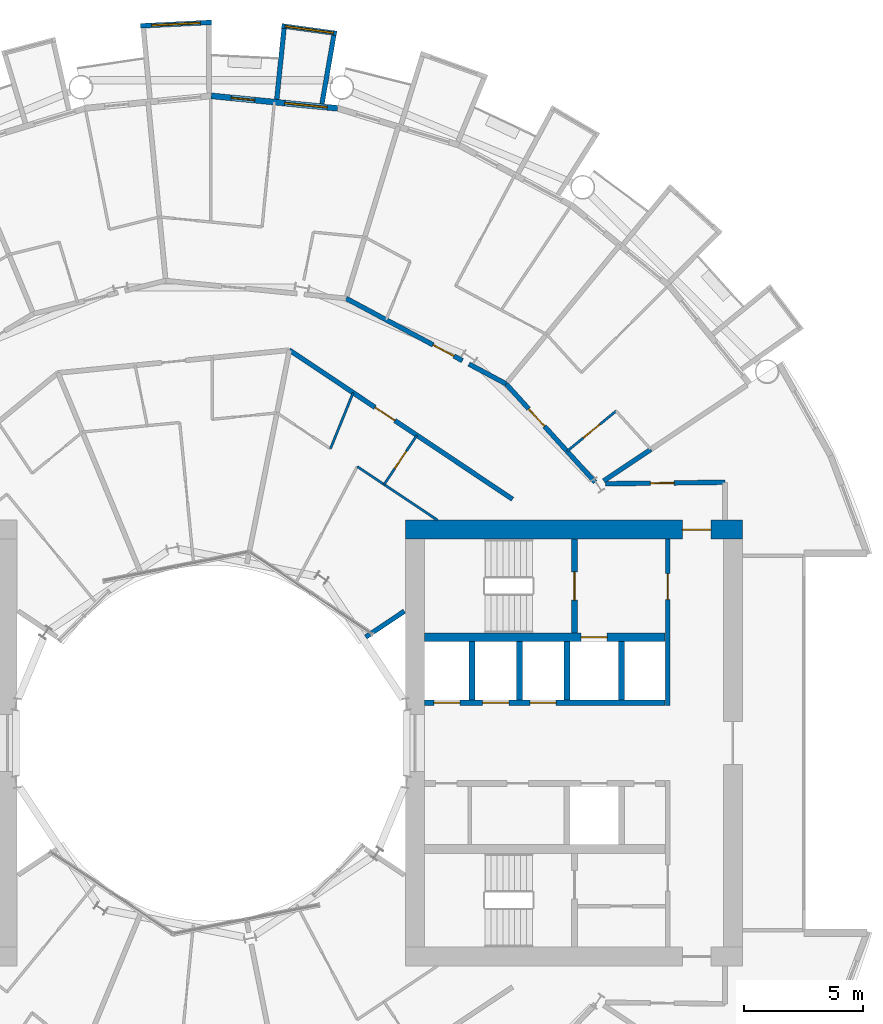
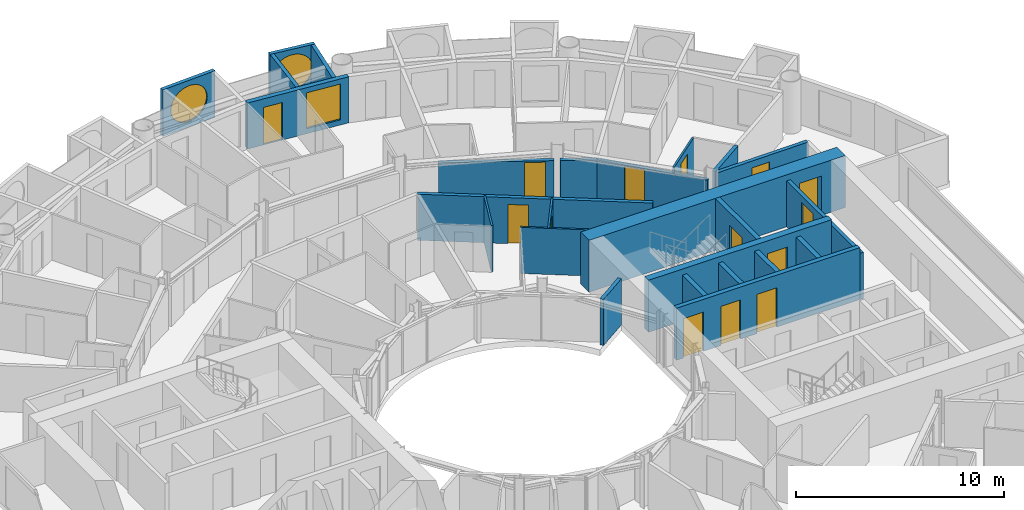
# One storey, part 21 of 26: 25 walls, 14 doors, 3 windows, 17 openings.
"""IFC4 building model written with IfcOpenShell, lengths in metres."""

import ifcopenshell
import ifcopenshell.guid

model = None  # the IFC model being written
_history = None  # IfcOwnerHistory: only IFC2X3 demands one
_inside = {}  # id of a spatial element -> (the spatial element, [elements in it])
_under = {}  # id of a project, library or spatial element -> (it, [spatial elements below it])
_declared = {}  # id of a project -> (the project, [libraries it declares])
_typed = {}  # id of a type object -> (the type object, [elements of that type])
_made_of = {}  # id of a material, layer set ... -> (it, [elements and type objects made of it])


def new_model(schema):
    """Start an empty IFC model of exactly this schema.

    Asked for "IFC4X3", IfcOpenShell would pick the latest addendum, in which some entities
    have other attributes; the version numbers below select the first issue.
    IFC2X3 requires an IfcOwnerHistory on every rooted entity: one is made here for all.
    """
    global model, _history
    if schema == "IFC4X3":
        model = ifcopenshell.file(schema_version=(4, 3, 0, 0))
    else:
        model = ifcopenshell.file(schema=schema)
    _inside.clear()
    _under.clear()
    _declared.clear()
    _typed.clear()
    _made_of.clear()
    _history = None
    if model.schema == "IFC2X3":
        org = make("IfcOrganization", Name="unknown")
        user = make(
            "IfcPersonAndOrganization",
            ThePerson=make("IfcPerson", FamilyName="unknown"),
            TheOrganization=org,
        )
        app = make(
            "IfcApplication",
            ApplicationDeveloper=org,
            Version="unknown",
            ApplicationFullName="unknown",
            ApplicationIdentifier="unknown",
        )
        _history = make(
            "IfcOwnerHistory",
            OwningUser=user,
            OwningApplication=app,
            ChangeAction="ADDED",
            CreationDate=0,
        )
    return model


def make(cls, **values):
    """One entity of the class cls with the attributes given. An attribute that is None is left unset."""
    return model.create_entity(
        cls, **{name: value for name, value in values.items() if value is not None}
    )


def rooted(cls, **values):
    """An entity with a GlobalId (a new one), such as an element, a storey or a relation."""
    return make(cls, GlobalId=ifcopenshell.guid.new(), OwnerHistory=_history, **values)


def si_unit(unit_type, name, prefix=None):
    """IfcSIUnit, for example si_unit("LENGTHUNIT", "METRE", prefix="MILLI")."""
    return make("IfcSIUnit", UnitType=unit_type, Prefix=prefix, Name=name)


def assignment(units):
    """IfcUnitAssignment: the units of a project."""
    return None if units is None else make("IfcUnitAssignment", Units=units)


def point(xyz):
    """IfcCartesianPoint."""
    return None if xyz is None else make("IfcCartesianPoint", Coordinates=xyz)


def direction(xyz):
    """IfcDirection."""
    return None if xyz is None else make("IfcDirection", DirectionRatios=xyz)


def frame(location, z_axis=None, x_axis=None):
    """IfcAxis2Placement3D, a coordinate frame: its origin and axes. An axis left out is left unset."""
    return make(
        "IfcAxis2Placement3D",
        Location=point(location),
        Axis=direction(z_axis),
        RefDirection=direction(x_axis),
    )


def frame_2d(location, x_axis=None):
    """IfcAxis2Placement2D, a coordinate frame in the plane: its origin and x axis."""
    return make(
        "IfcAxis2Placement2D", Location=point(location), RefDirection=direction(x_axis)
    )


def origin():
    """The frame at (0, 0, 0) with its axes left unset."""
    return frame((0.0, 0.0, 0.0))


def place(relative_to, where):
    """IfcLocalPlacement: puts the frame where relative to a parent placement (None: the world)."""
    return make(
        "IfcLocalPlacement", PlacementRelTo=relative_to, RelativePlacement=where
    )


def context(
    kind, dimensions, precision=None, world=None, true_north=None, identifier=None
):
    """IfcGeometricRepresentationContext, for example the 3D "Model" context."""
    return make(
        "IfcGeometricRepresentationContext",
        ContextIdentifier=identifier,
        ContextType=kind,
        CoordinateSpaceDimension=dimensions,
        Precision=precision,
        WorldCoordinateSystem=world,
        TrueNorth=true_north,
    )


def subcontext(parent, identifier, kind, view, scale=None):
    """IfcGeometricRepresentationSubContext, for example "Body" below "Model"."""
    return make(
        "IfcGeometricRepresentationSubContext",
        ContextIdentifier=identifier,
        ContextType=kind,
        ParentContext=parent,
        TargetScale=scale,
        TargetView=view,
    )


def project(units=None, contexts=None):
    """IfcProject with its units and contexts."""
    return rooted(
        "IfcProject",
        Name="project",
        RepresentationContexts=contexts,
        UnitsInContext=assignment(units),
    )


def spatial(cls, under=None, at=None, **own):
    """A site, building, storey or space (cls), placed at a placement, below another one or the project."""
    s = rooted(cls, ObjectPlacement=at, **own)
    if under is not None:
        _under.setdefault(under.id(), (under, []))[1].append(s)
    return s


def profile(cls, at=None, kind="AREA", **sizes):
    """A parametric profile (cls). Its sizes go by their IFC names, for example OverallWidth=200.0."""
    return make(cls, ProfileType=kind, Position=at, **sizes)


def rectangle(**sizes):
    """IfcRectangleProfileDef."""
    return profile("IfcRectangleProfileDef", **sizes)


def circle(**sizes):
    """IfcCircleProfileDef."""
    return profile("IfcCircleProfileDef", **sizes)


def extrude(swept, where, along, depth):
    """IfcExtrudedAreaSolid: the profile swept, set in the frame where, extruded along a direction by depth."""
    return make(
        "IfcExtrudedAreaSolid",
        SweptArea=swept,
        Position=where,
        ExtrudedDirection=direction(along),
        Depth=depth,
    )


def shape(context_of_items, identifier, shape_type, items):
    """IfcShapeRepresentation: the items that make up one representation, for example the "Body"."""
    return make(
        "IfcShapeRepresentation",
        ContextOfItems=context_of_items,
        RepresentationIdentifier=identifier,
        RepresentationType=shape_type,
        Items=items,
    )


def material(Name=None, Category=None):
    """IfcMaterial."""
    return make("IfcMaterial", Name=Name, Category=Category)


def layer(
    of_material, thickness, ventilated=None, Name=None, Category=None, Priority=None
):
    """IfcMaterialLayer: one layer of a wall or slab, of a material (None: an air gap)."""
    return make(
        "IfcMaterialLayer",
        Material=of_material,
        LayerThickness=thickness,
        IsVentilated=ventilated,
        Name=Name,
        Category=Category,
        Priority=Priority,
    )


def layer_set(layers, Name=None):
    """IfcMaterialLayerSet."""
    return make("IfcMaterialLayerSet", MaterialLayers=layers, LayerSetName=Name)


def made_of(thing, what):
    """Note that an element or type object is made of a material, layer set ...; save() writes the relation."""
    if what is not None:
        _made_of.setdefault(what.id(), (what, []))[1].append(thing)
    return thing


def type_object(cls, material=None, **own):
    """A type object (cls), such as IfcWallType, which elements share."""
    return made_of(rooted(cls, **own), material)


def element(
    cls,
    number,
    at=None,
    inside=None,
    cuts=None,
    type_object=None,
    material=None,
    context=None,
    identifier="Body",
    shape_type=None,
    held_by="IfcProductDefinitionShape",
    body=None,
    shapes=None,
    **own,
):
    """One element of the class cls, such as IfcWall. Its Tag is "e" and its number.

    at: its placement. inside: the storey or other place that contains it. cuts: it is an
    opening in that element (IfcRelVoidsElement). A single representation is given by context,
    identifier, shape_type and body (its items); several are given by shapes. held_by: the class
    of the entity that holds the representations. save() writes the other relations.
    """
    e = rooted(cls, Tag="e%d" % number, ObjectPlacement=at, **own)
    if body is not None:
        shapes = [shape(context, identifier, shape_type, body)]
    if shapes is not None:
        e.Representation = make(held_by, Representations=shapes)
    if inside is not None:
        _inside.setdefault(inside.id(), (inside, []))[1].append(e)
    if cuts is not None:
        rooted(
            "IfcRelVoidsElement", RelatingBuildingElement=cuts, RelatedOpeningElement=e
        )
    if type_object is not None:
        _typed.setdefault(type_object.id(), (type_object, []))[1].append(e)
    return made_of(e, material)


def fill(opening, filler):
    """IfcRelFillsElement: the door or window that sits in an opening."""
    return rooted(
        "IfcRelFillsElement",
        RelatingOpeningElement=opening,
        RelatedBuildingElement=filler,
    )


def aggregate(whole, parts):
    """IfcRelAggregates: a whole, such as a stair, and the parts it consists of."""
    return rooted("IfcRelAggregates", RelatingObject=whole, RelatedObjects=parts)


def save(model, path):
    """Write the relations noted so far, then the file.

    IfcRelAggregates (storeys below a building ...), IfcRelContainedInSpatialStructure (elements
    in a storey), IfcRelDefinesByType, IfcRelAssociatesMaterial and IfcRelDeclares: one each for
    every whole, place, type object, material and project.
    """
    for whole, parts in _under.values():
        aggregate(whole, parts)
    for where, things in _inside.values():
        rooted(
            "IfcRelContainedInSpatialStructure",
            RelatedElements=things,
            RelatingStructure=where,
        )
    for kind, things in _typed.values():
        rooted("IfcRelDefinesByType", RelatedObjects=things, RelatingType=kind)
    for what, things in _made_of.values():
        rooted("IfcRelAssociatesMaterial", RelatedObjects=things, RelatingMaterial=what)
    for by, libraries in _declared.values():
        rooted("IfcRelDeclares", RelatingContext=by, RelatedDefinitions=libraries)
    model.write(path)


model = new_model("IFC4")

# Units and contexts
model_context = context("Model", 3, precision=1e-05, world=origin(), true_north=direction((0.0, 1.0)))
body_context = subcontext(model_context, "Body", "Model", "MODEL_VIEW")
ifc_project = project(units=[si_unit("LENGTHUNIT", "METRE"), si_unit("AREAUNIT", "SQUARE_METRE"), si_unit("VOLUMEUNIT", "CUBIC_METRE"), si_unit("PLANEANGLEUNIT", "RADIAN"), si_unit("MASSUNIT", "GRAM", prefix="KILO")], contexts=[model_context])

# Site, building, storey
site_placement = place(None, origin())
site = spatial("IfcSite", under=ifc_project, at=site_placement, CompositionType="ELEMENT")
building_placement = place(site_placement, origin())
building = spatial("IfcBuilding", under=site, at=building_placement, Name="Maasbend Ring Residences", CompositionType="ELEMENT")
storey_placement = place(building_placement, frame((0.0, 0.0, 25.85009765625)))
storey = spatial("IfcBuildingStorey", under=building, at=storey_placement, Name="L06", CompositionType="ELEMENT", Elevation=25.85009765625)

# Wall, openings, doors
ifc_material_1 = material(Name="Concrete C70/85", Category="concrete")
ifc_layer_1 = layer(ifc_material_1, 0.25)
ifc_layer_set_1 = layer_set([ifc_layer_1], Name="Concrete C70/85")
wall_type_1 = type_object("IfcWallType", Name="CORE WALL 250 C70/85", PredefinedType="SHEAR", material=ifc_layer_set_1)
wall_1_placement = place(storey_placement, frame((9.0, 1.699951171875, 0.0), z_axis=(0.0, 0.0, 1.0), x_axis=(1.0, 0.0, 0.0)))
wall_1 = element("IfcWall", 1, at=wall_1_placement, inside=storey, type_object=wall_type_1, Name="L06 core E wall SPN", PredefinedType="SHEAR", context=body_context, shape_type="SweptSolid", body=[
    extrude(rectangle(XDim=10.14990234375, YDim=0.25, at=frame_2d((5.074951171875, 0.0))), origin(), (0.0, 0.0, 1.0), 3.0498046875),
])
opening_1_placement = place(wall_1_placement, frame((0.387451171875, 0.0, 0.0)))
opening_1 = element("IfcOpeningElement", 2, at=opening_1_placement, cuts=wall_1, Name="Opening LD-E0601", PredefinedType="OPENING", context=body_context, shape_type="SweptSolid", body=[
    extrude(rectangle(XDim=1.10009765625, YDim=2.300048828125, at=frame_2d((0.550048828125, 1.14990234375))), frame((0.0, 0.135009765625, 0.0), z_axis=(0.0, -1.0, 0.0), x_axis=(1.0, 0.0, 0.0)), (0.0, 0.0, 1.0), 0.27001953125),
])
opening_2_placement = place(wall_1_placement, frame((2.449951171875, 0.0, 0.0)))
opening_2 = element("IfcOpeningElement", 3, at=opening_2_placement, cuts=wall_1, Name="Opening LD-E0602", PredefinedType="OPENING", context=body_context, shape_type="SweptSolid", body=[
    extrude(rectangle(XDim=1.10009765625, YDim=2.300048828125, at=frame_2d((0.550048828125, 1.14990234375))), frame((0.0, 0.135009765625, 0.0), z_axis=(0.0, -1.0, 0.0), x_axis=(1.0, 0.0, 0.0)), (0.0, 0.0, 1.0), 0.27001953125),
])
opening_3_placement = place(wall_1_placement, frame((4.449951171875, 0.0, 0.0)))
opening_3 = element("IfcOpeningElement", 4, at=opening_3_placement, cuts=wall_1, Name="Opening LD-E0603", PredefinedType="OPENING", context=body_context, shape_type="SweptSolid", body=[
    extrude(rectangle(XDim=1.10009765625, YDim=2.300048828125, at=frame_2d((0.550048828125, 1.14990234375))), frame((0.0, 0.135009765625, 0.0), z_axis=(0.0, -1.0, 0.0), x_axis=(1.0, 0.0, 0.0)), (0.0, 0.0, 1.0), 0.27001953125),
])
ifc_material_2 = material(Name="Stainless steel 316", Category="steel")
door_type_1 = type_object("IfcDoorType", Name="LANDING DOOR 1100 X 2300 FD60", OperationType="DOUBLE_DOOR_SLIDING", PredefinedType="DOOR", material=ifc_material_2)
door_1_placement = place(opening_1_placement, origin())
door_1 = element("IfcDoor", 5, at=door_1_placement, inside=storey, type_object=door_type_1, Name="Landing door LR-E1 L06", OperationType="DOUBLE_DOOR_SLIDING", OverallHeight=2.300048828125, OverallWidth=1.10009765625, PredefinedType="DOOR", context=body_context, shape_type="SweptSolid", body=[
    extrude(rectangle(XDim=1.10009765625, YDim=2.300048828125, at=frame_2d((0.550048828125, 1.14990234375))), frame((0.0, 0.02490234375, 0.0), z_axis=(0.0, -1.0, 0.0), x_axis=(1.0, 0.0, 0.0)), (0.0, 0.0, 1.0), 0.050048828125),
])
fill(opening_1, door_1)
door_2_placement = place(opening_2_placement, origin())
door_2 = element("IfcDoor", 6, at=door_2_placement, inside=storey, type_object=door_type_1, Name="Landing door LR-E2 L06", OperationType="DOUBLE_DOOR_SLIDING", OverallHeight=2.300048828125, OverallWidth=1.10009765625, PredefinedType="DOOR", context=body_context, shape_type="SweptSolid", body=[
    extrude(rectangle(XDim=1.10009765625, YDim=2.300048828125, at=frame_2d((0.550048828125, 1.14990234375))), frame((0.0, 0.02490234375, 0.0), z_axis=(0.0, -1.0, 0.0), x_axis=(1.0, 0.0, 0.0)), (0.0, 0.0, 1.0), 0.050048828125),
])
fill(opening_2, door_2)
door_3_placement = place(opening_3_placement, origin())
door_3 = element("IfcDoor", 7, at=door_3_placement, inside=storey, type_object=door_type_1, Name="Landing door LR-E3 L06", OperationType="DOUBLE_DOOR_SLIDING", OverallHeight=2.300048828125, OverallWidth=1.10009765625, PredefinedType="DOOR", context=body_context, shape_type="SweptSolid", body=[
    extrude(rectangle(XDim=1.10009765625, YDim=2.300048828125, at=frame_2d((0.550048828125, 1.14990234375))), frame((0.0, 0.02490234375, 0.0), z_axis=(0.0, -1.0, 0.0), x_axis=(1.0, 0.0, 0.0)), (0.0, 0.0, 1.0), 0.050048828125),
])
fill(opening_3, door_3)

# Wall, opening, door
wall_2_placement = place(storey_placement, frame((15.324951171875, 4.64990234375, 0.0), z_axis=(0.0, 0.0, 1.0), x_axis=(0.0, 1.0, 0.0)))
wall_2 = element("IfcWall", 8, at=wall_2_placement, inside=storey, type_object=wall_type_1, Name="L06 core E wall STEN", PredefinedType="SHEAR", context=body_context, shape_type="SweptSolid", body=[
    extrude(rectangle(XDim=3.9501953125, YDim=0.25, at=frame_2d((1.97509765625, 0.0))), origin(), (0.0, 0.0, 1.0), 3.0498046875),
])
opening_4_placement = place(wall_2_placement, frame((1.375, 0.0, 0.0)))
opening_4 = element("IfcOpeningElement", 9, at=opening_4_placement, cuts=wall_2, Name="Opening D-E0610", PredefinedType="OPENING", context=body_context, shape_type="SweptSolid", body=[
    extrude(rectangle(XDim=1.199951171875, YDim=2.300048828125, at=frame_2d((0.60009765625, 1.14990234375))), frame((0.0, 0.135009765625, 0.0), z_axis=(0.0, -1.0, 0.0), x_axis=(1.0, 0.0, 0.0)), (0.0, 0.0, 1.0), 0.27001953125),
])
ifc_material_3 = material(Name="Steel, powder coated", Category="steel")
door_type_2 = type_object("IfcDoorType", Name="STAIR DOOR 1200 X 2300 FD60", OperationType="NOTDEFINED", PredefinedType="DOOR", material=ifc_material_3)
door_4_placement = place(opening_4_placement, origin())
door_4 = element("IfcDoor", 10, at=door_4_placement, inside=storey, type_object=door_type_2, Name="Stair door ST-E L06", OperationType="SINGLE_SWING_LEFT", OverallHeight=2.300048828125, OverallWidth=1.199951171875, PredefinedType="DOOR", context=body_context, shape_type="SweptSolid", body=[
    extrude(rectangle(XDim=1.199951171875, YDim=2.300048828125, at=frame_2d((0.60009765625, 1.14990234375))), frame((0.0, 0.02490234375, 0.0), z_axis=(0.0, -1.0, 0.0), x_axis=(1.0, 0.0, 0.0)), (0.0, 0.0, 1.0), 0.050048828125),
])
fill(opening_4, door_4)

ifc_material_4 = material(Name="Concrete C70/85", Category="concrete")
ifc_layer_2 = layer(ifc_material_4, 0.375)
ifc_layer_set_2 = layer_set([ifc_layer_2], Name="Concrete C70/85")
wall_type_2 = type_object("IfcWallType", Name="CORE WALL 375 C70/85", PredefinedType="SHEAR", material=ifc_layer_set_2)
wall_3_placement = place(storey_placement, frame((9.0, 4.46240234375, 0.0), z_axis=(0.0, 0.0, 1.0), x_axis=(1.0, 0.0, 0.0)))
wall_3 = element("IfcWall", 11, at=wall_3_placement, inside=storey, type_object=wall_type_2, Name="L06 core E wall BN", PredefinedType="SHEAR", context=body_context, shape_type="SweptSolid", body=[
    extrude(rectangle(XDim=10.14990234375, YDim=0.375, at=frame_2d((5.074951171875, 0.0))), origin(), (0.0, 0.0, 1.0), 3.0498046875),
])
opening_5_placement = place(wall_3_placement, frame((6.60009765625, 0.0, 0.0)))
opening_5 = element("IfcOpeningElement", 12, at=opening_5_placement, cuts=wall_3, Name="Opening LD-E0604", PredefinedType="OPENING", context=body_context, shape_type="SweptSolid", body=[
    extrude(rectangle(XDim=1.10009765625, YDim=2.300048828125, at=frame_2d((0.550048828125, 1.14990234375))), frame((0.0, 0.197509765625, 0.0), z_axis=(0.0, -1.0, 0.0), x_axis=(1.0, 0.0, 0.0)), (0.0, 0.0, 1.0), 0.39501953125),
])
door_5_placement = place(opening_5_placement, origin())
door_5 = element("IfcDoor", 13, at=door_5_placement, inside=storey, type_object=door_type_1, Name="Landing door FF-E L06", OperationType="DOUBLE_DOOR_SLIDING", OverallHeight=2.300048828125, OverallWidth=1.10009765625, PredefinedType="DOOR", context=body_context, shape_type="SweptSolid", body=[
    extrude(rectangle(XDim=1.10009765625, YDim=2.300048828125, at=frame_2d((0.550048828125, 1.14990234375))), frame((0.0, 0.02490234375, 0.0), z_axis=(0.0, -1.0, 0.0), x_axis=(1.0, 0.0, 0.0)), (0.0, 0.0, 1.0), 0.050048828125),
])
fill(opening_5, door_5)

ifc_material_5 = material(Name="Concrete C70/85", Category="concrete")
ifc_layer_3 = layer(ifc_material_5, 0.800048828125)
ifc_layer_set_3 = layer_set([ifc_layer_3], Name="Concrete C70/85")
wall_type_3 = type_object("IfcWallType", Name="CORE WALL 800 C70/85", PredefinedType="SHEAR", material=ifc_layer_set_3)
wall_4_placement = place(storey_placement, frame((22.39990234375, 9.0, 0.0), z_axis=(0.0, 0.0, 1.0), x_axis=(-1.0, 0.0, 0.0)))
wall_4 = element("IfcWall", 14, at=wall_4_placement, inside=storey, type_object=wall_type_3, Name="L06 core E wall PN", PredefinedType="SHEAR", context=body_context, shape_type="SweptSolid", body=[
    extrude(rectangle(XDim=14.199951171875, YDim=0.800048828125, at=frame_2d((7.10009765625, 0.0))), origin(), (0.0, 0.0, 1.0), 3.0498046875),
])
opening_6_placement = place(wall_4_placement, frame((1.324951171875, 0.0, 0.0)))
opening_6 = element("IfcOpeningElement", 15, at=opening_6_placement, cuts=wall_4, Name="Opening D-E0614", PredefinedType="OPENING", context=body_context, shape_type="SweptSolid", body=[
    extrude(rectangle(XDim=1.199951171875, YDim=2.300048828125, at=frame_2d((0.60009765625, 1.14990234375))), frame((0.0, 0.41015625, 0.0), z_axis=(0.0, -1.0, 0.0), x_axis=(1.0, 0.0, 0.0)), (0.0, 0.0, 1.0), 0.820068359375),
])
ifc_material_6 = material(Name="Steel, powder coated", Category="steel")
door_type_3 = type_object("IfcDoorType", Name="CORRIDOR DOOR 1200 X 2300 FD30S", OperationType="NOTDEFINED", PredefinedType="DOOR", material=ifc_material_6)
door_6_placement = place(opening_6_placement, origin())
door_6 = element("IfcDoor", 16, at=door_6_placement, inside=storey, type_object=door_type_3, Name="Corridor door L06", OperationType="SINGLE_SWING_RIGHT", OverallHeight=2.300048828125, OverallWidth=1.199951171875, PredefinedType="DOOR", context=body_context, shape_type="SweptSolid", body=[
    extrude(rectangle(XDim=1.199951171875, YDim=2.300048828125, at=frame_2d((0.60009765625, 1.14990234375))), frame((0.0, 0.02490234375, 0.0), z_axis=(0.0, -1.0, 0.0), x_axis=(1.0, 0.0, 0.0)), (0.0, 0.0, 1.0), 0.050048828125),
])
fill(opening_6, door_6)

ifc_material_7 = material(Name="Concrete C30/37", Category="concrete")
ifc_layer_4 = layer(ifc_material_7, 0.199951171875)
ifc_layer_set_4 = layer_set([ifc_layer_4], Name="Concrete C30/37")
wall_type_4 = type_object("IfcWallType", Name="CORRIDOR WALL 200 CONCRETE", PredefinedType="PARTITIONING", material=ifc_layer_set_4)
wall_5_placement = place(storey_placement, frame((16.636962890625, 10.93798828125, 0.0), z_axis=(0.0, 0.0, 1.0), x_axis=(0.99992425795, 0.012307654658, 0.0)))
wall_5 = element("IfcWall", 17, at=wall_5_placement, inside=storey, type_object=wall_type_4, Name="U-L06-w099", PredefinedType="PARTITIONING", context=body_context, shape_type="SweptSolid", body=[
    extrude(rectangle(XDim=5.03857421875, YDim=0.199951171875, at=frame_2d((2.519287109375, 0.0))), origin(), (0.0, 0.0, 1.0), 2.699951171875),
])
opening_7_placement = place(wall_5_placement, frame((1.884033203125, 0.0, 0.0)))
opening_7 = element("IfcOpeningElement", 18, at=opening_7_placement, cuts=wall_5, Name="Opening D-0668", PredefinedType="OPENING", context=body_context, shape_type="SweptSolid", body=[
    extrude(rectangle(XDim=1.0, YDim=2.300048828125, at=frame_2d((0.5, 1.14990234375))), frame((0.0, 0.10986328125, 0.0), z_axis=(0.0, -1.0, 0.0), x_axis=(1.0, 0.0, 0.0)), (0.0, 0.0, 1.0), 0.219970703125),
])
ifc_material_8 = material(Name="Timber, painted", Category="wood")
door_type_4 = type_object("IfcDoorType", Name="ROOM DOOR 1000 X 2300", OperationType="NOTDEFINED", PredefinedType="DOOR", material=ifc_material_8)
door_7_placement = place(opening_7_placement, origin())
door_7 = element("IfcDoor", 19, at=door_7_placement, inside=storey, type_object=door_type_4, Name="D-0668", OperationType="SINGLE_SWING_LEFT", OverallHeight=2.300048828125, OverallWidth=1.0, PredefinedType="DOOR", context=body_context, shape_type="SweptSolid", body=[
    extrude(rectangle(XDim=1.0, YDim=2.300048828125, at=frame_2d((0.5, 1.14990234375))), frame((0.0, 0.02490234375, 0.0), z_axis=(0.0, -1.0, 0.0), x_axis=(1.0, 0.0, 0.0)), (0.0, 0.0, 1.0), 0.050048828125),
])
fill(opening_7, door_7)

wall_6_placement = place(storey_placement, frame((3.299072265625, 16.573974609375, 0.0), z_axis=(0.0, 0.0, 1.0), x_axis=(0.831482209042, -0.555551380205, 0.0)))
wall_6 = element("IfcWall", 20, at=wall_6_placement, inside=storey, type_object=wall_type_4, Name="U-L06-w106", PredefinedType="PARTITIONING", context=body_context, shape_type="SweptSolid", body=[
    extrude(rectangle(XDim=11.314697265625, YDim=0.199951171875, at=frame_2d((5.6572265625, 0.0))), origin(), (0.0, 0.0, 1.0), 2.699951171875),
])
opening_8_placement = place(wall_6_placement, frame((4.345947265625, 0.0, 0.0)))
opening_8 = element("IfcOpeningElement", 21, at=opening_8_placement, cuts=wall_6, Name="Opening D-0621", PredefinedType="OPENING", context=body_context, shape_type="SweptSolid", body=[
    extrude(rectangle(XDim=1.0, YDim=2.300048828125, at=frame_2d((0.5, 1.14990234375))), frame((0.0, 0.10986328125, 0.0), z_axis=(0.0, -1.0, 0.0), x_axis=(1.0, 0.0, 0.0)), (0.0, 0.0, 1.0), 0.219970703125),
])
ifc_material_9 = material(Name="Timber, fire-rated, painted", Category="wood")
door_type_5 = type_object("IfcDoorType", Name="FLAT ENTRANCE DOOR 1000 X 2300 FIRE-RATED", OperationType="NOTDEFINED", PredefinedType="DOOR", material=ifc_material_9)
door_8_placement = place(opening_8_placement, origin())
door_8 = element("IfcDoor", 22, at=door_8_placement, inside=storey, type_object=door_type_5, Name="D-0621", OperationType="SINGLE_SWING_LEFT", OverallHeight=2.300048828125, OverallWidth=1.0, PredefinedType="DOOR", context=body_context, shape_type="SweptSolid", body=[
    extrude(rectangle(XDim=1.0, YDim=2.300048828125, at=frame_2d((0.5, 1.14990234375))), frame((0.0, 0.02490234375, 0.0), z_axis=(0.0, -1.0, 0.0), x_axis=(1.0, 0.0, 0.0)), (0.0, 0.0, 1.0), 0.050048828125),
])
fill(opening_8, door_8)

wall_7_placement = place(storey_placement, frame((5.68994140625, 18.756103515625, 0.0), z_axis=(0.0, 0.0, 1.0), x_axis=(0.881866548297, -0.471499089072, 0.0)))
wall_7 = element("IfcWall", 23, at=wall_7_placement, inside=storey, type_object=wall_type_4, Name="U-L06-w111", PredefinedType="PARTITIONING", context=body_context, shape_type="SweptSolid", body=[
    extrude(rectangle(XDim=5.563232421875, YDim=0.199951171875, at=frame_2d((2.78173828125, 0.0))), origin(), (0.0, 0.0, 1.0), 2.3798828125),
])
opening_9_placement = place(wall_7_placement, frame((4.160888671875, 0.0, 0.0)))
opening_9 = element("IfcOpeningElement", 24, at=opening_9_placement, cuts=wall_7, Name="Opening D-0604", PredefinedType="OPENING", context=body_context, shape_type="SweptSolid", body=[
    extrude(rectangle(XDim=1.0, YDim=2.300048828125, at=frame_2d((0.5, 1.14990234375))), frame((0.0, 0.10986328125, 0.0), z_axis=(0.0, -1.0, 0.0), x_axis=(1.0, 0.0, 0.0)), (0.0, 0.0, 1.0), 0.219970703125),
])
door_9_placement = place(opening_9_placement, origin())
door_9 = element("IfcDoor", 25, at=door_9_placement, inside=storey, type_object=door_type_5, Name="D-0604", OperationType="SINGLE_SWING_RIGHT", OverallHeight=2.300048828125, OverallWidth=1.0, PredefinedType="DOOR", context=body_context, shape_type="SweptSolid", body=[
    extrude(rectangle(XDim=1.0, YDim=2.300048828125, at=frame_2d((0.5, 1.14990234375))), frame((0.0, 0.02490234375, 0.0), z_axis=(0.0, -1.0, 0.0), x_axis=(1.0, 0.0, 0.0)), (0.0, 0.0, 1.0), 0.050048828125),
])
fill(opening_9, door_9)

# Wall
wall_8_placement = place(storey_placement, frame((10.866943359375, 15.989013671875, 0.0), z_axis=(0.0, 0.0, 1.0), x_axis=(0.88180855718, -0.471607536501, 0.0)))
element("IfcWall", 26, at=wall_8_placement, inside=storey, type_object=wall_type_4, Name="U-L06-w112", PredefinedType="PARTITIONING", context=body_context, shape_type="SweptSolid", body=[
    extrude(rectangle(XDim=1.777099609375, YDim=0.199951171875, at=frame_2d((0.888671875, 0.0))), origin(), (0.0, 0.0, 1.0), 2.3798828125),
])

# Wall, opening, door
wall_9_placement = place(storey_placement, frame((12.43408203125, 15.15087890625, 0.0), z_axis=(0.0, 0.0, 1.0), x_axis=(0.671514934772, -0.740991020444, 0.0)))
wall_9 = element("IfcWall", 27, at=wall_9_placement, inside=storey, type_object=wall_type_4, Name="U-L06-w118", PredefinedType="PARTITIONING", context=body_context, shape_type="SweptSolid", body=[
    extrude(rectangle(XDim=5.597900390625, YDim=0.199951171875, at=frame_2d((2.798828125, 0.0))), origin(), (0.0, 0.0, 1.0), 2.3798828125),
])
opening_10_placement = place(wall_9_placement, frame((1.4169921875, 0.0, 0.0)))
opening_10 = element("IfcOpeningElement", 28, at=opening_10_placement, cuts=wall_9, Name="Opening D-0601", PredefinedType="OPENING", context=body_context, shape_type="SweptSolid", body=[
    extrude(rectangle(XDim=1.0, YDim=2.300048828125, at=frame_2d((0.5, 1.14990234375))), frame((0.0, 0.10986328125, 0.0), z_axis=(0.0, -1.0, 0.0), x_axis=(1.0, 0.0, 0.0)), (0.0, 0.0, 1.0), 0.219970703125),
])
door_10_placement = place(opening_10_placement, origin())
door_10 = element("IfcDoor", 29, at=door_10_placement, inside=storey, type_object=door_type_5, Name="D-0601", OperationType="SINGLE_SWING_LEFT", OverallHeight=2.300048828125, OverallWidth=1.0, PredefinedType="DOOR", context=body_context, shape_type="SweptSolid", body=[
    extrude(rectangle(XDim=1.0, YDim=2.300048828125, at=frame_2d((0.5, 1.14990234375))), frame((0.0, 0.02490234375, 0.0), z_axis=(0.0, -1.0, 0.0), x_axis=(1.0, 0.0, 0.0)), (0.0, 0.0, 1.0), 0.050048828125),
])
fill(opening_10, door_10)

# Wall, opening, window
ifc_material_10 = material(Name="Pale anodised aluminium panel", Category="aluminium")
ifc_layer_5 = layer(ifc_material_10, 0.199951171875)
ifc_layer_set_5 = layer_set([ifc_layer_5], Name="EW-BOX")
wall_type_5 = type_object("IfcWallType", Name="EW-BOX", PredefinedType="SOLIDWALL", material=ifc_layer_set_5)
wall_10_placement = place(storey_placement, frame((5.2900390625, 29.93603515625, -0.030029296875), z_axis=(0.0, 0.0, 1.0), x_axis=(-0.990696111261, 0.136092671119, 0.0)))
wall_10 = element("IfcWall", 30, at=wall_10_placement, inside=storey, type_object=wall_type_5, Name="Box front N09", PredefinedType="SOLIDWALL", context=body_context, shape_type="SweptSolid", body=[
    extrude(rectangle(XDim=2.335693359375, YDim=0.199951171875, at=frame_2d((1.16796875, 0.0))), origin(), (0.0, 0.0, 1.0), 2.72998046875),
])
opening_11_placement = place(wall_10_placement, frame((0.128173828125, 0.0, 0.330078125)))
opening_11 = element("IfcOpeningElement", 31, at=opening_11_placement, cuts=wall_10, Name="Opening W-RD", PredefinedType="OPENING", context=body_context, shape_type="SweptSolid", body=[
    extrude(circle(Radius=1.0400390625, at=frame_2d((1.0400390625, 1.0400390625))), frame((0.0, 0.10986328125, 0.0), z_axis=(0.0, -1.0, 0.0), x_axis=(1.0, 0.0, 0.0)), (0.0, 0.0, 1.0), 0.219970703125),
])
ifc_material_11 = material(Name="Aluminium and clear glass", Category="aluminium")
window_type_1 = type_object("IfcWindowType", Name="W-RD", PartitioningType="SINGLE_PANEL", PredefinedType="WINDOW", material=ifc_material_11)
window_1_placement = place(opening_11_placement, origin())
window_1 = element("IfcWindow", 32, at=window_1_placement, inside=storey, type_object=window_type_1, Name="Round window N09", OverallHeight=2.080078125, OverallWidth=2.080078125, PartitioningType="SINGLE_PANEL", PredefinedType="WINDOW", context=body_context, shape_type="SweptSolid", body=[
    extrude(circle(Radius=1.0400390625, at=frame_2d((1.0400390625, 1.0400390625))), frame((0.0, 0.030029296875, 0.0), z_axis=(0.0, -1.0, 0.0), x_axis=(1.0, 0.0, 0.0)), (0.0, 0.0, 1.0), 0.06005859375),
])
fill(opening_11, window_1)

# Walls
wall_11_placement = place(storey_placement, frame((4.6708984375, 26.966064453125, -0.030029296875), z_axis=(0.0, 0.0, 1.0), x_axis=(0.170539878907, 0.985350774954, 0.0)))
element("IfcWall", 33, at=wall_11_placement, inside=storey, type_object=wall_type_5, Name="Box side wall N09 left", PredefinedType="SOLIDWALL", context=body_context, shape_type="SweptSolid", body=[
    extrude(rectangle(XDim=2.931884765625, YDim=0.199951171875, at=frame_2d((1.4658203125, 0.0))), origin(), (0.0, 0.0, 1.0), 2.72998046875),
])
wall_12_placement = place(storey_placement, frame((2.763916015625, 27.153076171875, -0.030029296875), z_axis=(0.0, 0.0, 1.0), x_axis=(0.101505487237, 0.994834979311, 0.0)))
element("IfcWall", 34, at=wall_12_placement, inside=storey, type_object=wall_type_5, Name="Box side wall N09 right", PredefinedType="SOLIDWALL", context=body_context, shape_type="SweptSolid", body=[
    extrude(rectangle(XDim=3.006591796875, YDim=0.199951171875, at=frame_2d((1.50341796875, 0.0))), origin(), (0.0, 0.0, 1.0), 2.72998046875),
])

# Wall, opening, window
wall_13_placement = place(storey_placement, frame((0.0048828125, 30.39990234375, -0.030029296875), z_axis=(0.0, 0.0, 1.0), x_axis=(-0.998794083011, -0.049095618353, 0.0)))
wall_13 = element("IfcWall", 35, at=wall_13_placement, inside=storey, type_object=wall_type_5, Name="Box front N11", PredefinedType="SOLIDWALL", context=body_context, shape_type="SweptSolid", body=[
    extrude(rectangle(XDim=2.99365234375, YDim=0.199951171875, at=frame_2d((1.496826171875, 0.0))), origin(), (0.0, 0.0, 1.0), 2.72998046875),
])
opening_12_placement = place(wall_13_placement, frame((0.45654296875, 0.0, 0.330078125)))
opening_12 = element("IfcOpeningElement", 36, at=opening_12_placement, cuts=wall_13, Name="Opening W-RD", PredefinedType="OPENING", context=body_context, shape_type="SweptSolid", body=[
    extrude(circle(Radius=1.0400390625, at=frame_2d((1.0400390625, 1.0400390625))), frame((0.0, 0.10986328125, 0.0), z_axis=(0.0, -1.0, 0.0), x_axis=(1.0, 0.0, 0.0)), (0.0, 0.0, 1.0), 0.219970703125),
])
window_2_placement = place(opening_12_placement, origin())
window_2 = element("IfcWindow", 37, at=window_2_placement, inside=storey, type_object=window_type_1, Name="Round window N11", OverallHeight=2.080078125, OverallWidth=2.080078125, PartitioningType="SINGLE_PANEL", PredefinedType="WINDOW", context=body_context, shape_type="SweptSolid", body=[
    extrude(circle(Radius=1.0400390625, at=frame_2d((1.0400390625, 1.0400390625))), frame((0.0, 0.030029296875, 0.0), z_axis=(0.0, -1.0, 0.0), x_axis=(1.0, 0.0, 0.0)), (0.0, 0.0, 1.0), 0.06005859375),
])
fill(opening_12, window_2)

# Wall, openings, door, window
ifc_material_12 = material(Name="Aluminium clad insulated panel", Category="aluminium")
ifc_layer_6 = layer(ifc_material_12, 0.25)
ifc_layer_set_6 = layer_set([ifc_layer_6], Name="EW-GL")
wall_type_6 = type_object("IfcWallType", Name="EW-GL", PredefinedType="SOLIDWALL", material=ifc_layer_set_6)
wall_14_placement = place(storey_placement, frame((5.325927734375, 26.77490234375, 0.0), z_axis=(0.0, 0.0, 1.0), x_axis=(-0.995173996315, 0.098126026407, 0.0)))
wall_14 = element("IfcWall", 38, at=wall_14_placement, inside=storey, type_object=wall_type_6, Name="External wall N05", PredefinedType="SOLIDWALL", context=body_context, shape_type="SweptSolid", body=[
    extrude(rectangle(XDim=5.351806640625, YDim=0.25, at=frame_2d((2.67578125, 0.0))), origin(), (0.0, 0.0, 1.0), 2.699951171875),
])
opening_13_placement = place(wall_14_placement, frame((0.441162109375, 0.0, 0.300048828125)))
opening_13 = element("IfcOpeningElement", 39, at=opening_13_placement, cuts=wall_14, Name="Opening W-BX", PredefinedType="OPENING", context=body_context, shape_type="SweptSolid", body=[
    extrude(rectangle(XDim=1.800048828125, YDim=2.10009765625, at=frame_2d((0.89990234375, 1.050048828125))), frame((0.0, 0.135009765625, 0.0), z_axis=(0.0, -1.0, 0.0), x_axis=(1.0, 0.0, 0.0)), (0.0, 0.0, 1.0), 0.27001953125),
])
opening_14_placement = place(wall_14_placement, frame((3.510498046875, 0.0, 0.0)))
opening_14 = element("IfcOpeningElement", 40, at=opening_14_placement, cuts=wall_14, Name="Opening D-LG", PredefinedType="OPENING", context=body_context, shape_type="SweptSolid", body=[
    extrude(rectangle(XDim=1.0, YDim=2.199951171875, at=frame_2d((0.5, 1.10009765625))), frame((0.0, 0.135009765625, 0.0), z_axis=(0.0, -1.0, 0.0), x_axis=(1.0, 0.0, 0.0)), (0.0, 0.0, 1.0), 0.27001953125),
])
ifc_material_13 = material(Name="Aluminium and clear glass", Category="aluminium")
door_type_6 = type_object("IfcDoorType", Name="D-LG", OperationType="SINGLE_SWING_LEFT", PredefinedType="DOOR", material=ifc_material_13)
door_11_placement = place(opening_14_placement, origin())
door_11 = element("IfcDoor", 41, at=door_11_placement, inside=storey, type_object=door_type_6, Name="Loggia door N10", OperationType="SINGLE_SWING_LEFT", OverallHeight=2.199951171875, OverallWidth=1.0, PredefinedType="DOOR", context=body_context, shape_type="SweptSolid", body=[
    extrude(rectangle(XDim=1.0, YDim=2.199951171875, at=frame_2d((0.5, 1.10009765625))), frame((0.0, 0.02490234375, 0.0), z_axis=(0.0, -1.0, 0.0), x_axis=(1.0, 0.0, 0.0)), (0.0, 0.0, 1.0), 0.050048828125),
])
fill(opening_14, door_11)
ifc_material_14 = material(Name="Aluminium and clear glass", Category="aluminium")
window_type_2 = type_object("IfcWindowType", Name="W-BX", PartitioningType="DOUBLE_PANEL_VERTICAL", PredefinedType="WINDOW", material=ifc_material_14)
window_3_placement = place(opening_13_placement, origin())
window_3 = element("IfcWindow", 42, at=window_3_placement, inside=storey, type_object=window_type_2, Name="Window N09 room to box", OverallHeight=2.10009765625, OverallWidth=1.800048828125, PartitioningType="SINGLE_PANEL", PredefinedType="WINDOW", context=body_context, shape_type="SweptSolid", body=[
    extrude(rectangle(XDim=1.800048828125, YDim=2.10009765625, at=frame_2d((0.89990234375, 1.050048828125))), frame((0.0, 0.030029296875, 0.0), z_axis=(0.0, -1.0, 0.0), x_axis=(1.0, 0.0, 0.0)), (0.0, 0.0, 1.0), 0.06005859375),
])
fill(opening_13, window_3)

# Wall
ifc_material_15 = material(Name="Gypsum board on steel studs", Category="steel")
ifc_layer_7 = layer(ifc_material_15, 0.10009765625)
ifc_layer_set_7 = layer_set([ifc_layer_7], Name="PARTITION 100 GYPSUM")
wall_type_7 = type_object("IfcWallType", Name="PARTITION 100 GYPSUM", PredefinedType="PARTITIONING", material=ifc_layer_set_7)
wall_15_placement = place(storey_placement, frame((5.029052734375, 12.41796875, 0.0), z_axis=(0.0, 0.0, 1.0), x_axis=(0.375649498413, 0.926761811008, 0.0)))
element("IfcWall", 43, at=wall_15_placement, inside=storey, type_object=wall_type_7, Name="U-L06-w078", PredefinedType="PARTITIONING", context=body_context, shape_type="SweptSolid", body=[
    extrude(rectangle(XDim=2.547607421875, YDim=0.10009765625, at=frame_2d((1.27392578125, 0.0))), origin(), (0.0, 0.0, 1.0), 2.699951171875),
])

# Wall, opening, door
wall_16_placement = place(storey_placement, frame((7.2890625, 10.907958984375, 0.0), z_axis=(0.0, 0.0, 1.0), x_axis=(0.555355163998, 0.831613276602, 0.0)))
wall_16 = element("IfcWall", 44, at=wall_16_placement, inside=storey, type_object=wall_type_7, Name="U-L06-w082", PredefinedType="PARTITIONING", context=body_context, shape_type="SweptSolid", body=[
    extrude(rectangle(XDim=2.493896484375, YDim=0.10009765625, at=frame_2d((1.2470703125, 0.0))), origin(), (0.0, 0.0, 1.0), 2.699951171875),
])
opening_15_placement = place(wall_16_placement, frame((0.797119140625, 0.0, 0.0)))
opening_15 = element("IfcOpeningElement", 45, at=opening_15_placement, cuts=wall_16, Name="Opening D-0623", PredefinedType="OPENING", context=body_context, shape_type="SweptSolid", body=[
    extrude(rectangle(XDim=0.89990234375, YDim=2.300048828125, at=frame_2d((0.449951171875, 1.14990234375))), frame((0.0, 0.06005859375, 0.0), z_axis=(0.0, -1.0, 0.0), x_axis=(1.0, 0.0, 0.0)), (0.0, 0.0, 1.0), 0.1201171875),
])
ifc_material_16 = material(Name="Timber, painted", Category="wood")
door_type_7 = type_object("IfcDoorType", Name="INTERNAL DOOR 900 X 2300", OperationType="NOTDEFINED", PredefinedType="DOOR", material=ifc_material_16)
door_12_placement = place(opening_15_placement, origin())
door_12 = element("IfcDoor", 46, at=door_12_placement, inside=storey, type_object=door_type_7, Name="D-0623", OperationType="SINGLE_SWING_RIGHT", OverallHeight=2.300048828125, OverallWidth=0.89990234375, PredefinedType="DOOR", context=body_context, shape_type="SweptSolid", body=[
    extrude(rectangle(XDim=0.89990234375, YDim=2.300048828125, at=frame_2d((0.449951171875, 1.14990234375))), frame((0.0, 0.02490234375, 0.0), z_axis=(0.0, -1.0, 0.0), x_axis=(1.0, 0.0, 0.0)), (0.0, 0.0, 1.0), 0.050048828125),
])
fill(opening_15, door_12)

wall_17_placement = place(storey_placement, frame((15.009033203125, 12.31005859375, 0.0), z_axis=(0.0, 0.0, 1.0), x_axis=(0.77319617123, 0.634166918717, 0.0)))
wall_17 = element("IfcWall", 47, at=wall_17_placement, inside=storey, type_object=wall_type_7, Name="U-L06-w090", PredefinedType="PARTITIONING", context=body_context, shape_type="SweptSolid", body=[
    extrude(rectangle(XDim=2.674560546875, YDim=0.10009765625, at=frame_2d((1.33740234375, 0.0))), origin(), (0.0, 0.0, 1.0), 2.699951171875),
])
opening_16_placement = place(wall_17_placement, frame((0.886962890625, 0.0, 0.0)))
opening_16 = element("IfcOpeningElement", 48, at=opening_16_placement, cuts=wall_17, Name="Opening D-0602", PredefinedType="OPENING", context=body_context, shape_type="SweptSolid", body=[
    extrude(rectangle(XDim=0.89990234375, YDim=2.300048828125, at=frame_2d((0.449951171875, 1.14990234375))), frame((0.0, 0.06005859375, 0.0), z_axis=(0.0, -1.0, 0.0), x_axis=(1.0, 0.0, 0.0)), (0.0, 0.0, 1.0), 0.1201171875),
])
door_13_placement = place(opening_16_placement, origin())
door_13 = element("IfcDoor", 49, at=door_13_placement, inside=storey, type_object=door_type_7, Name="D-0602", OperationType="SINGLE_SWING_RIGHT", OverallHeight=2.300048828125, OverallWidth=0.89990234375, PredefinedType="DOOR", context=body_context, shape_type="SweptSolid", body=[
    extrude(rectangle(XDim=0.89990234375, YDim=2.300048828125, at=frame_2d((0.449951171875, 1.14990234375))), frame((0.0, 0.02490234375, 0.0), z_axis=(0.0, -1.0, 0.0), x_axis=(1.0, 0.0, 0.0)), (0.0, 0.0, 1.0), 0.050048828125),
])
fill(opening_16, door_13)

# Walls
wall_18_placement = place(storey_placement, frame((6.158935546875, 11.6630859375, 0.0), z_axis=(0.0, 0.0, 1.0), x_axis=(0.831459707426, -0.555585056429, 0.0)))
element("IfcWall", 50, at=wall_18_placement, inside=storey, type_object=wall_type_7, Name="U-L06-w101", PredefinedType="PARTITIONING", context=body_context, shape_type="SweptSolid", body=[
    extrude(rectangle(XDim=4.073486328125, YDim=0.10009765625, at=frame_2d((2.03662109375, 0.0))), origin(), (0.0, 0.0, 1.0), 2.699951171875),
])
ifc_material_17 = material(Name="Concrete C30/37", Category="concrete")
ifc_layer_8 = layer(ifc_material_17, 0.199951171875)
ifc_layer_set_8 = layer_set([ifc_layer_8], Name="Concrete C30/37")
wall_type_8 = type_object("IfcWallType", Name="PARTY WALL 200 CONCRETE", PredefinedType="PARTITIONING", material=ifc_layer_set_8)
wall_19_placement = place(storey_placement, frame((16.554931640625, 11.06103515625, 0.0), z_axis=(0.0, 0.0, 1.0), x_axis=(0.832066006555, 0.554676627176, 0.0)))
element("IfcWall", 51, at=wall_19_placement, inside=storey, type_object=wall_type_8, Name="U-L06-w095", PredefinedType="PARTITIONING", context=body_context, shape_type="SweptSolid", body=[
    extrude(rectangle(XDim=2.390380859375, YDim=0.199951171875, at=frame_2d((1.1953125, 0.0))), origin(), (0.0, 0.0, 1.0), 2.699951171875),
])
wall_20_placement = place(storey_placement, frame((6.512939453125, 4.471923828125, 0.0), z_axis=(0.0, 0.0, 1.0), x_axis=(0.831417956244, 0.555647533996, 0.0)))
element("IfcWall", 52, at=wall_20_placement, inside=storey, type_object=wall_type_8, Name="U-L06-w097", PredefinedType="PARTITIONING", context=body_context, shape_type="SweptSolid", body=[
    extrude(rectangle(XDim=1.9619140625, YDim=0.199951171875, at=frame_2d((0.98095703125, 0.0))), origin(), (0.0, 0.0, 1.0), 2.699951171875),
])

# Wall, opening, door
ifc_material_18 = material(Name="Concrete C30/37", Category="concrete")
ifc_layer_9 = layer(ifc_material_18, 0.199951171875)
ifc_layer_set_9 = layer_set([ifc_layer_9], Name="Concrete C30/37")
wall_type_9 = type_object("IfcWallType", Name="SHAFT WALL 200 EI 120", PredefinedType="SOLIDWALL", material=ifc_layer_set_9)
wall_21_placement = place(storey_placement, frame((19.25, 1.574951171875, 0.0), z_axis=(0.0, 0.0, 1.0), x_axis=(0.0, 1.0, 0.0)))
wall_21 = element("IfcWall", 53, at=wall_21_placement, inside=storey, type_object=wall_type_9, Name="L06 core E wall ENDN", PredefinedType="SOLIDWALL", context=body_context, shape_type="SweptSolid", body=[
    extrude(rectangle(XDim=7.025146484375, YDim=0.199951171875, at=frame_2d((3.5126953125, 0.0))), origin(), (0.0, 0.0, 1.0), 2.699951171875),
])
opening_17_placement = place(wall_21_placement, frame((4.47509765625, 0.0, 0.0)))
opening_17 = element("IfcOpeningElement", 54, at=opening_17_placement, cuts=wall_21, Name="Opening D-E0612", PredefinedType="OPENING", context=body_context, shape_type="SweptSolid", body=[
    extrude(rectangle(XDim=1.10009765625, YDim=2.300048828125, at=frame_2d((0.550048828125, 1.14990234375))), frame((0.0, 0.10986328125, 0.0), z_axis=(0.0, -1.0, 0.0), x_axis=(1.0, 0.0, 0.0)), (0.0, 0.0, 1.0), 0.219970703125),
])
ifc_material_19 = material(Name="Steel, powder coated", Category="steel")
door_type_8 = type_object("IfcDoorType", Name="LOBBY DOOR 1100 X 2300 FD60", OperationType="NOTDEFINED", PredefinedType="DOOR", material=ifc_material_19)
door_14_placement = place(opening_17_placement, origin())
door_14 = element("IfcDoor", 55, at=door_14_placement, inside=storey, type_object=door_type_8, Name="Lobby door L06", OperationType="SINGLE_SWING_LEFT", OverallHeight=2.300048828125, OverallWidth=1.10009765625, PredefinedType="DOOR", context=body_context, shape_type="SweptSolid", body=[
    extrude(rectangle(XDim=1.10009765625, YDim=2.300048828125, at=frame_2d((0.550048828125, 1.14990234375))), frame((0.0, 0.02490234375, 0.0), z_axis=(0.0, -1.0, 0.0), x_axis=(1.0, 0.0, 0.0)), (0.0, 0.0, 1.0), 0.050048828125),
])
fill(opening_17, door_14)

# Walls
ifc_material_20 = material(Name="Concrete C30/37", Category="concrete")
ifc_layer_10 = layer(ifc_material_20, 0.25)
ifc_layer_set_10 = layer_set([ifc_layer_10], Name="Concrete C30/37")
wall_type_10 = type_object("IfcWallType", Name="SHAFT WALL 250 EI 120", PredefinedType="SOLIDWALL", material=ifc_layer_set_10)
for number, where, z_axis, x_axis, name in (
    (56, (15.0, 1.824951171875, 0.0), (0.0, 0.0, 1.0), (0.0, 1.0, 0.0), "L06 core E wall D150N"),
    (57, (17.300048828125, 1.824951171875, 0.0), (0.0, 0.0, 1.0), (0.0, 1.0, 0.0), "L06 core E wall D173N"),
    (58, (11.0, 1.824951171875, 0.0), (0.0, 0.0, 1.0), (0.0, 1.0, 0.0), "L06 core E wall D110N"),
    (59, (13.0, 1.824951171875, 0.0), (0.0, 0.0, 1.0), (0.0, 1.0, 0.0), "L06 core E wall D130N"),
):
    element("IfcWall", number, at=place(storey_placement, frame(where, z_axis=z_axis, x_axis=x_axis)), inside=storey, type_object=wall_type_10, Name=name, PredefinedType="SOLIDWALL", context=body_context, shape_type="SweptSolid", body=[
        extrude(rectangle(XDim=2.449951171875, YDim=0.25, at=frame_2d((1.22509765625, 0.0))), origin(), (0.0, 0.0, 1.0), 2.699951171875),
    ])

save(model, "model.ifc")
